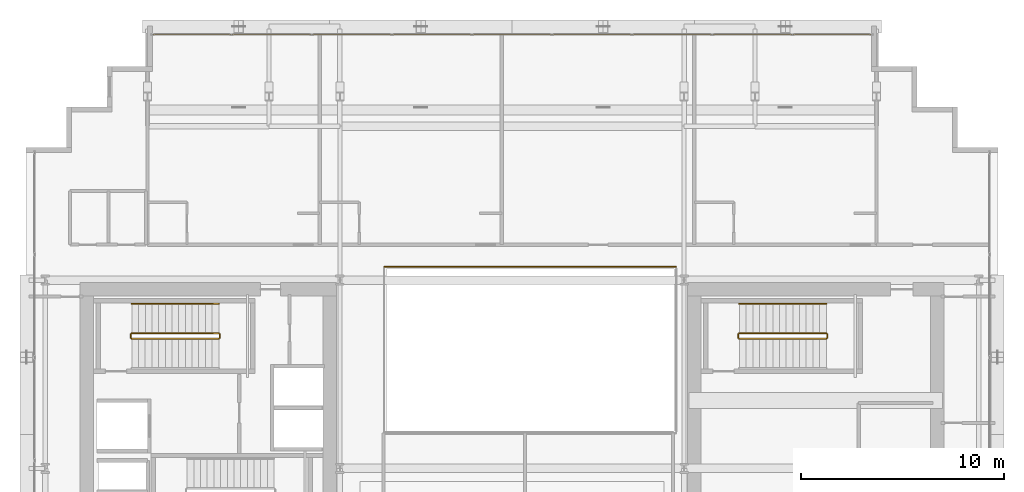
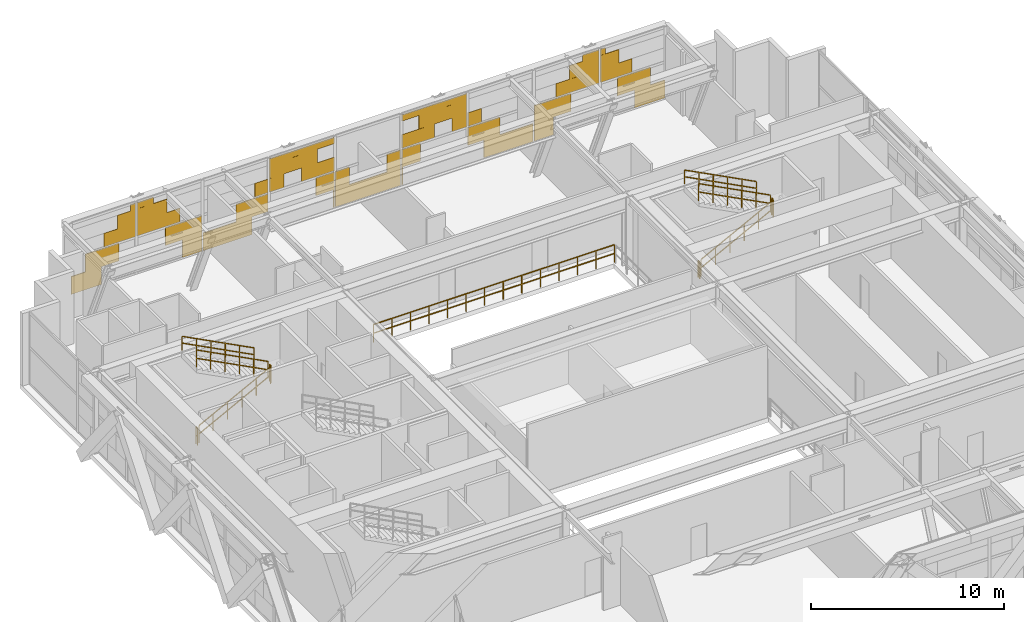
# One storey, part 35 of 35: 11 railings, 1 covering.
"""IFC4 building model written with IfcOpenShell, lengths in metres."""

from ifc_helpers import new_model, si_unit, direction, frame, origin, origin_2d, place, context, subcontext, project, spatial, rectangle, extrude, material, layer, layer_set, type_object, element, save


model = new_model("IFC4")

# Units and contexts
model_context = context("Model", 3, precision=1e-05, world=origin(), true_north=direction((0.0, 1.0)))
body_context = subcontext(model_context, "Body", "Model", "MODEL_VIEW")
ifc_project = project(units=[si_unit("LENGTHUNIT", "METRE"), si_unit("AREAUNIT", "SQUARE_METRE"), si_unit("VOLUMEUNIT", "CUBIC_METRE"), si_unit("PLANEANGLEUNIT", "RADIAN"), si_unit("MASSUNIT", "GRAM", prefix="KILO")], contexts=[model_context])

# Site, building, storey
site_placement = place(None, origin())
site = spatial("IfcSite", under=ifc_project, at=site_placement, CompositionType="ELEMENT")
building_placement = place(site_placement, origin())
building = spatial("IfcBuilding", under=site, at=building_placement, Name="Ocotamira Hotel", CompositionType="ELEMENT")
storey_placement = place(building_placement, frame((0.0, 0.0, 158.39990234375)))
storey = spatial("IfcBuildingStorey", under=building, at=storey_placement, Name="L39", CompositionType="ELEMENT", Elevation=158.39990234375)

# Covering
ifc_material_1 = material(Name="Insulated pale-metal aluminium spandrel panel", Category="aluminium")
ifc_layer = layer(ifc_material_1, 0.044921875)
ifc_layer_set = layer_set([ifc_layer], Name="Insulated pale-metal aluminium spandrel panel")
covering_type = type_object("IfcCoveringType", Name="COV-INFILL-45", PredefinedType="CLADDING", material=ifc_layer_set)
covering_placement = place(storey_placement, origin())
element("IfcCovering", 1, at=covering_placement, inside=storey, type_object=covering_type, Name="L39 Curtain Wall Infill CW-5 CW-L39-N", PredefinedType="CLADDING", context=body_context, shape_type="SweptSolid", body=[
    extrude(rectangle(XDim=1.7958984375, YDim=0.044921875, at=origin_2d()), frame((15.178466796875, 49.580078125, 0.07568359375), z_axis=(0.0, 0.0, 1.0), x_axis=(1.0, 0.0, 0.0)), (0.0, 0.0, 1.0), 1.117919921875),
    extrude(rectangle(XDim=1.991943359375, YDim=0.044921875, at=origin_2d()), frame((16.118408203125, 49.580078125, 1.1943359375), z_axis=(0.0, 0.0, 1.0), x_axis=(1.0, 0.0, 0.0)), (0.0, 0.0, 1.0), 1.117919921875),
    extrude(rectangle(XDim=1.885009765625, YDim=0.044921875, at=origin_2d()), frame((17.172607421875, 49.580078125, 2.38818359375), z_axis=(0.0, 0.0, 1.0), x_axis=(1.0, 0.0, 0.0)), (0.0, 0.0, 1.0), 0.85546875),
    extrude(rectangle(XDim=1.090576171875, YDim=0.044921875, at=origin_2d()), frame((17.56982421875, 49.580078125, 3.244384765625), z_axis=(0.0, 0.0, 1.0), x_axis=(1.0, 0.0, 0.0)), (0.0, 0.0, 1.0), 0.85546875),
    extrude(rectangle(XDim=0.2958984375, YDim=0.044921875, at=origin_2d()), frame((17.967041015625, 49.580078125, 4.1005859375), z_axis=(0.0, 0.0, 1.0), x_axis=(1.0, 0.0, 0.0)), (0.0, 0.0, 1.0), 0.393798828125),
    extrude(rectangle(XDim=2.184814453125, YDim=0.044921875, at=origin_2d()), frame((20.97802734375, 49.580078125, 1.1943359375), z_axis=(0.0, 0.0, 1.0), x_axis=(1.0, 0.0, 0.0)), (0.0, 0.0, 1.0), 1.117919921875),
    extrude(rectangle(XDim=1.14697265625, YDim=0.044921875, at=origin_2d()), frame((21.497314453125, 49.580078125, 0.07568359375), z_axis=(0.0, 0.0, 1.0), x_axis=(1.0, 0.0, 0.0)), (0.0, 0.0, 1.0), 1.117919921875),
    extrude(rectangle(XDim=2.573974609375, YDim=0.044921875, at=origin_2d()), frame((19.48291015625, 49.580078125, 2.38818359375), z_axis=(0.0, 0.0, 1.0), x_axis=(1.0, 0.0, 0.0)), (0.0, 0.0, 1.0), 0.85546875),
    extrude(rectangle(XDim=1.779296875, YDim=0.044921875, at=origin_2d()), frame((19.085693359375, 49.580078125, 3.244384765625), z_axis=(0.0, 0.0, 1.0), x_axis=(1.0, 0.0, 0.0)), (0.0, 0.0, 1.0), 0.85546875),
    extrude(rectangle(XDim=0.98486328125, YDim=0.044921875, at=origin_2d()), frame((18.6884765625, 49.580078125, 4.1005859375), z_axis=(0.0, 0.0, 1.0), x_axis=(1.0, 0.0, 0.0)), (0.0, 0.0, 1.0), 0.393798828125),
    extrude(rectangle(XDim=2.9248046875, YDim=0.044921875, at=origin_2d()), frame((23.614013671875, 49.580078125, 0.07568359375), z_axis=(0.0, 0.0, 1.0), x_axis=(1.0, 0.0, 0.0)), (0.0, 0.0, 1.0), 1.117919921875),
    extrude(rectangle(XDim=1.90380859375, YDim=0.044921875, at=origin_2d()), frame((25.07421875, 49.580078125, 1.1943359375), z_axis=(0.0, 0.0, 1.0), x_axis=(1.0, 0.0, 0.0)), (0.0, 0.0, 1.0), 1.117919921875),
    extrude(rectangle(XDim=0.796142578125, YDim=0.044921875, at=origin_2d()), frame((25.628173828125, 49.580078125, 2.38818359375), z_axis=(0.0, 0.0, 1.0), x_axis=(1.0, 0.0, 0.0)), (0.0, 0.0, 1.0), 0.85546875),
    extrude(rectangle(XDim=1.095947265625, YDim=0.044921875, at=origin_2d()), frame((29.43359375, 49.580078125, 1.1943359375), z_axis=(0.0, 0.0, 1.0), x_axis=(1.0, 0.0, 0.0)), (0.0, 0.0, 1.0), 1.117919921875),
    extrude(rectangle(XDim=0.05810546875, YDim=0.044921875, at=origin_2d()), frame((29.95263671875, 49.580078125, 0.07568359375), z_axis=(0.0, 0.0, 1.0), x_axis=(1.0, 0.0, 0.0)), (0.0, 0.0, 1.0), 1.117919921875),
    extrude(rectangle(XDim=0.871337890625, YDim=0.044921875, at=origin_2d()), frame((26.542724609375, 49.580078125, 2.38818359375), z_axis=(0.0, 0.0, 1.0), x_axis=(1.0, 0.0, 0.0)), (0.0, 0.0, 1.0), 0.85546875),
    extrude(rectangle(XDim=2.8681640625, YDim=0.044921875, at=origin_2d()), frame((27.541259765625, 49.580078125, 3.244384765625), z_axis=(0.0, 0.0, 1.0), x_axis=(1.0, 0.0, 0.0)), (0.0, 0.0, 1.0), 0.85546875),
    extrude(rectangle(XDim=3.87451171875, YDim=0.044921875, at=origin_2d()), frame((28.04443359375, 49.580078125, 4.1005859375), z_axis=(0.0, 0.0, 1.0), x_axis=(1.0, 0.0, 0.0)), (0.0, 0.0, 1.0), 0.393798828125),
    extrude(rectangle(XDim=1.960205078125, YDim=0.044921875, at=origin_2d()), frame((29.001708984375, 49.580078125, 2.38818359375), z_axis=(0.0, 0.0, 1.0), x_axis=(1.0, 0.0, 0.0)), (0.0, 0.0, 1.0), 0.85546875),
    extrude(rectangle(XDim=3.87451171875, YDim=0.044921875, at=origin_2d()), frame((32.0, 49.580078125, 0.07568359375), z_axis=(0.0, 0.0, 1.0), x_axis=(1.0, 0.0, 0.0)), (0.0, 0.0, 1.0), 1.117919921875),
    extrude(rectangle(XDim=0.81494140625, YDim=0.044921875, at=origin_2d()), frame((30.47021484375, 49.580078125, 1.1943359375), z_axis=(0.0, 0.0, 1.0), x_axis=(1.0, 0.0, 0.0)), (0.0, 0.0, 1.0), 1.117919921875),
    extrude(rectangle(XDim=0.81494140625, YDim=0.044921875, at=origin_2d()), frame((33.52978515625, 49.580078125, 1.1943359375), z_axis=(0.0, 0.0, 1.0), x_axis=(1.0, 0.0, 0.0)), (0.0, 0.0, 1.0), 1.117919921875),
    extrude(rectangle(XDim=0.05810546875, YDim=0.044921875, at=origin_2d()), frame((34.04736328125, 49.580078125, 0.07568359375), z_axis=(0.0, 0.0, 1.0), x_axis=(1.0, 0.0, 0.0)), (0.0, 0.0, 1.0), 1.117919921875),
    extrude(rectangle(XDim=1.095947265625, YDim=0.044921875, at=origin_2d()), frame((34.56640625, 49.580078125, 1.1943359375), z_axis=(0.0, 0.0, 1.0), x_axis=(1.0, 0.0, 0.0)), (0.0, 0.0, 1.0), 1.117919921875),
    extrude(rectangle(XDim=1.960205078125, YDim=0.044921875, at=origin_2d()), frame((34.998291015625, 49.580078125, 2.38818359375), z_axis=(0.0, 0.0, 1.0), x_axis=(1.0, 0.0, 0.0)), (0.0, 0.0, 1.0), 0.85546875),
    extrude(rectangle(XDim=3.87451171875, YDim=0.044921875, at=origin_2d()), frame((35.95556640625, 49.580078125, 4.1005859375), z_axis=(0.0, 0.0, 1.0), x_axis=(1.0, 0.0, 0.0)), (0.0, 0.0, 1.0), 0.393798828125),
    extrude(rectangle(XDim=2.8681640625, YDim=0.044921875, at=origin_2d()), frame((36.458740234375, 49.580078125, 3.244384765625), z_axis=(0.0, 0.0, 1.0), x_axis=(1.0, 0.0, 0.0)), (0.0, 0.0, 1.0), 0.85546875),
    extrude(rectangle(XDim=0.871337890625, YDim=0.044921875, at=origin_2d()), frame((37.457275390625, 49.580078125, 2.38818359375), z_axis=(0.0, 0.0, 1.0), x_axis=(1.0, 0.0, 0.0)), (0.0, 0.0, 1.0), 0.85546875),
    extrude(rectangle(XDim=1.90380859375, YDim=0.044921875, at=origin_2d()), frame((38.92578125, 49.580078125, 1.1943359375), z_axis=(0.0, 0.0, 1.0), x_axis=(1.0, 0.0, 0.0)), (0.0, 0.0, 1.0), 1.117919921875),
    extrude(rectangle(XDim=2.9248046875, YDim=0.044921875, at=origin_2d()), frame((40.385986328125, 49.580078125, 0.07568359375), z_axis=(0.0, 0.0, 1.0), x_axis=(1.0, 0.0, 0.0)), (0.0, 0.0, 1.0), 1.117919921875),
    extrude(rectangle(XDim=0.796142578125, YDim=0.044921875, at=origin_2d()), frame((38.371826171875, 49.580078125, 2.38818359375), z_axis=(0.0, 0.0, 1.0), x_axis=(1.0, 0.0, 0.0)), (0.0, 0.0, 1.0), 0.85546875),
    extrude(rectangle(XDim=1.14697265625, YDim=0.044921875, at=origin_2d()), frame((42.502685546875, 49.580078125, 0.07568359375), z_axis=(0.0, 0.0, 1.0), x_axis=(1.0, 0.0, 0.0)), (0.0, 0.0, 1.0), 1.117919921875),
    extrude(rectangle(XDim=2.184814453125, YDim=0.044921875, at=origin_2d()), frame((43.02197265625, 49.580078125, 1.1943359375), z_axis=(0.0, 0.0, 1.0), x_axis=(1.0, 0.0, 0.0)), (0.0, 0.0, 1.0), 1.117919921875),
    extrude(rectangle(XDim=2.573974609375, YDim=0.044921875, at=origin_2d()), frame((44.51708984375, 49.580078125, 2.38818359375), z_axis=(0.0, 0.0, 1.0), x_axis=(1.0, 0.0, 0.0)), (0.0, 0.0, 1.0), 0.85546875),
    extrude(rectangle(XDim=1.779296875, YDim=0.044921875, at=origin_2d()), frame((44.914306640625, 49.580078125, 3.244384765625), z_axis=(0.0, 0.0, 1.0), x_axis=(1.0, 0.0, 0.0)), (0.0, 0.0, 1.0), 0.85546875),
    extrude(rectangle(XDim=0.98486328125, YDim=0.044921875, at=origin_2d()), frame((45.3115234375, 49.580078125, 4.1005859375), z_axis=(0.0, 0.0, 1.0), x_axis=(1.0, 0.0, 0.0)), (0.0, 0.0, 1.0), 0.393798828125),
    extrude(rectangle(XDim=1.991943359375, YDim=0.044921875, at=origin_2d()), frame((47.881591796875, 49.580078125, 1.1943359375), z_axis=(0.0, 0.0, 1.0), x_axis=(1.0, 0.0, 0.0)), (0.0, 0.0, 1.0), 1.117919921875),
    extrude(rectangle(XDim=1.7958984375, YDim=0.044921875, at=origin_2d()), frame((48.821533203125, 49.580078125, 0.07568359375), z_axis=(0.0, 0.0, 1.0), x_axis=(1.0, 0.0, 0.0)), (0.0, 0.0, 1.0), 1.117919921875),
    extrude(rectangle(XDim=1.885009765625, YDim=0.044921875, at=origin_2d()), frame((46.827392578125, 49.580078125, 2.38818359375), z_axis=(0.0, 0.0, 1.0), x_axis=(1.0, 0.0, 0.0)), (0.0, 0.0, 1.0), 0.85546875),
    extrude(rectangle(XDim=1.090576171875, YDim=0.044921875, at=origin_2d()), frame((46.43017578125, 49.580078125, 3.244384765625), z_axis=(0.0, 0.0, 1.0), x_axis=(1.0, 0.0, 0.0)), (0.0, 0.0, 1.0), 0.85546875),
    extrude(rectangle(XDim=0.2958984375, YDim=0.044921875, at=origin_2d()), frame((46.032958984375, 49.580078125, 4.1005859375), z_axis=(0.0, 0.0, 1.0), x_axis=(1.0, 0.0, 0.0)), (0.0, 0.0, 1.0), 0.393798828125),
])

# Railings
ifc_material_2 = material(Name="Painted steel stair guardrail", Category="steel")
railing_type_1 = type_object("IfcRailingType", Name="RL-EDGE-1150", PredefinedType="GUARDRAIL", material=ifc_material_2)
railing_1_placement = place(storey_placement, frame((40.10009765625, 38.10009765625, 0.0)))
element("IfcRailing", 2, at=railing_1_placement, inside=storey, type_object=railing_type_1, Name="L39 Atrium Bridge Lightwell Guard N N", PredefinedType="GUARDRAIL", context=body_context, shape_type="SweptSolid", body=[
    extrude(rectangle(XDim=0.048095703125, YDim=0.048095703125, at=origin_2d()), frame((0.0, 0.0, 1.1259765625), z_axis=(-1.0, 0.0, 0.0), x_axis=(0.0, -1.0, 0.0)), (0.0, 0.0, 1.0), 14.400146484375),
    extrude(rectangle(XDim=0.048095703125, YDim=0.048095703125, at=origin_2d()), frame((0.0, 0.0, 0.574951171875), z_axis=(-1.0, 0.0, 0.0), x_axis=(0.0, -1.0, 0.0)), (0.0, 0.0, 1.0), 14.400146484375),
    extrude(rectangle(XDim=0.0419921875, YDim=0.0419921875, at=origin_2d()), origin(), (0.0, 0.0, 1.0), 1.101806640625),
    extrude(rectangle(XDim=0.0419921875, YDim=0.0419921875, at=origin_2d()), frame((-1.107666015625, 0.0, 0.0)), (0.0, 0.0, 1.0), 1.101806640625),
    extrude(rectangle(XDim=0.0419921875, YDim=0.0419921875, at=origin_2d()), frame((-2.21533203125, 0.0, 0.0)), (0.0, 0.0, 1.0), 1.101806640625),
    extrude(rectangle(XDim=0.0419921875, YDim=0.0419921875, at=origin_2d()), frame((-3.322998046875, 0.0, 0.0)), (0.0, 0.0, 1.0), 1.101806640625),
    extrude(rectangle(XDim=0.0419921875, YDim=0.0419921875, at=origin_2d()), frame((-4.430908203125, 0.0, 0.0)), (0.0, 0.0, 1.0), 1.101806640625),
    extrude(rectangle(XDim=0.0419921875, YDim=0.0419921875, at=origin_2d()), frame((-5.53857421875, 0.0, 0.0)), (0.0, 0.0, 1.0), 1.101806640625),
    extrude(rectangle(XDim=0.0419921875, YDim=0.0419921875, at=origin_2d()), frame((-6.646240234375, 0.0, 0.0)), (0.0, 0.0, 1.0), 1.101806640625),
    extrude(rectangle(XDim=0.0419921875, YDim=0.0419921875, at=origin_2d()), frame((-7.75390625, 0.0, 0.0)), (0.0, 0.0, 1.0), 1.101806640625),
    extrude(rectangle(XDim=0.0419921875, YDim=0.0419921875, at=origin_2d()), frame((-8.861572265625, 0.0, 0.0)), (0.0, 0.0, 1.0), 1.101806640625),
    extrude(rectangle(XDim=0.0419921875, YDim=0.0419921875, at=origin_2d()), frame((-9.96923828125, 0.0, 0.0)), (0.0, 0.0, 1.0), 1.101806640625),
    extrude(rectangle(XDim=0.0419921875, YDim=0.0419921875, at=origin_2d()), frame((-11.0771484375, 0.0, 0.0)), (0.0, 0.0, 1.0), 1.101806640625),
    extrude(rectangle(XDim=0.0419921875, YDim=0.0419921875, at=origin_2d()), frame((-12.184814453125, 0.0, 0.0)), (0.0, 0.0, 1.0), 1.101806640625),
    extrude(rectangle(XDim=0.0419921875, YDim=0.0419921875, at=origin_2d()), frame((-13.29248046875, 0.0, 0.0)), (0.0, 0.0, 1.0), 1.101806640625),
    extrude(rectangle(XDim=0.0419921875, YDim=0.0419921875, at=origin_2d()), frame((-14.400146484375, 0.0, 0.0)), (0.0, 0.0, 1.0), 1.101806640625),
])
ifc_material_3 = material(Name="Brushed stainless steel handrail", Category="steel")
railing_type_2 = type_object("IfcRailingType", Name="RL-HAND-900", PredefinedType="HANDRAIL", material=ifc_material_3)
for number, where, name in (
    (3, (17.52001953125, 36.280029296875, 2.742919921875), "L39 ST-2 stair handrail 2"),
    (4, (47.52001953125, 36.280029296875, 2.742919921875), "L39 ST-4 stair handrail 2"),
):
    element("IfcRailing", number, at=place(storey_placement, frame(where)), inside=storey, type_object=railing_type_2, Name=name, PredefinedType="HANDRAIL", context=body_context, shape_type="SweptSolid", body=[
        extrude(rectangle(XDim=0.048095703125, YDim=0.048095703125, at=origin_2d()), frame((0.0, 0.0, 0.8759765625), z_axis=(-0.887411858541, 0.0, 0.46097743255), x_axis=(0.0, -1.0, 0.0)), (0.0, 0.0, 1.0), 4.834228515625),
        extrude(rectangle(XDim=0.048095703125, YDim=0.048095703125, at=origin_2d()), frame((0.0, 0.0, 0.449951171875), z_axis=(-0.887411858541, 0.0, 0.46097743255), x_axis=(0.0, -1.0, 0.0)), (0.0, 0.0, 1.0), 4.834228515625),
        extrude(rectangle(XDim=0.0419921875, YDim=0.0419921875, at=origin_2d()), origin(), (0.0, 0.0, 1.0), 0.851806640625),
        extrude(rectangle(XDim=0.0419921875, YDim=0.0419921875, at=origin_2d()), frame((-0.85791015625, 0.0, 0.44580078125)), (0.0, 0.0, 1.0), 0.851806640625),
        extrude(rectangle(XDim=0.0419921875, YDim=0.0419921875, at=origin_2d()), frame((-1.716064453125, 0.0, 0.891357421875)), (0.0, 0.0, 1.0), 0.851806640625),
        extrude(rectangle(XDim=0.0419921875, YDim=0.0419921875, at=origin_2d()), frame((-2.573974609375, 0.0, 1.337158203125)), (0.0, 0.0, 1.0), 0.851806640625),
        extrude(rectangle(XDim=0.0419921875, YDim=0.0419921875, at=origin_2d()), frame((-3.43212890625, 0.0, 1.78271484375)), (0.0, 0.0, 1.0), 0.851806640625),
        extrude(rectangle(XDim=0.0419921875, YDim=0.0419921875, at=origin_2d()), frame((-4.2900390625, 0.0, 2.228515625)), (0.0, 0.0, 1.0), 0.851806640625),
    ])
railing_type_3 = type_object("IfcRailingType", Name="RL-STAIR-1100", PredefinedType="GUARDRAIL", material=ifc_material_2)
railing_2_placement = place(storey_placement, frame((13.22998046875, 34.56005859375, 0.171630859375)))
element("IfcRailing", 5, at=railing_2_placement, inside=storey, type_object=railing_type_3, Name="L39 ST-2 stair guard 1", PredefinedType="GUARDRAIL", context=body_context, shape_type="SweptSolid", body=[
    extrude(rectangle(XDim=0.048095703125, YDim=0.048095703125, at=origin_2d()), frame((0.0, 0.0, 1.076171875), z_axis=(0.887411858541, 0.0, 0.46097743255), x_axis=(0.0, 1.0, 0.0)), (0.0, 0.0, 1.0), 4.834228515625),
    extrude(rectangle(XDim=0.048095703125, YDim=0.048095703125, at=origin_2d()), frame((0.0, 0.0, 0.550048828125), z_axis=(0.887411858541, 0.0, 0.46097743255), x_axis=(0.0, 1.0, 0.0)), (0.0, 0.0, 1.0), 4.834228515625),
    extrude(rectangle(XDim=0.0419921875, YDim=0.0419921875, at=origin_2d()), origin(), (0.0, 0.0, 1.0), 1.052001953125),
    extrude(rectangle(XDim=0.0419921875, YDim=0.0419921875, at=origin_2d()), frame((0.85791015625, 0.0, 0.44580078125)), (0.0, 0.0, 1.0), 1.052001953125),
    extrude(rectangle(XDim=0.0419921875, YDim=0.0419921875, at=origin_2d()), frame((1.716064453125, 0.0, 0.891357421875)), (0.0, 0.0, 1.0), 1.052001953125),
    extrude(rectangle(XDim=0.0419921875, YDim=0.0419921875, at=origin_2d()), frame((2.573974609375, 0.0, 1.337158203125)), (0.0, 0.0, 1.0), 1.052001953125),
    extrude(rectangle(XDim=0.0419921875, YDim=0.0419921875, at=origin_2d()), frame((3.43212890625, 0.0, 1.78271484375)), (0.0, 0.0, 1.0), 1.052001953125),
    extrude(rectangle(XDim=0.0419921875, YDim=0.0419921875, at=origin_2d()), frame((4.2900390625, 0.0, 2.228515625)), (0.0, 0.0, 1.0), 1.052001953125),
])
railing_3_placement = place(storey_placement, frame((17.570068359375, 34.610107421875, 2.400146484375)))
element("IfcRailing", 6, at=railing_3_placement, inside=storey, type_object=railing_type_3, Name="L39 ST-2 stair guard 2", PredefinedType="GUARDRAIL", context=body_context, shape_type="SweptSolid", body=[
    extrude(rectangle(XDim=0.048095703125, YDim=0.048095703125, at=origin_2d()), frame((0.0, 0.0, 1.076171875), z_axis=(0.0, 1.0, 0.0), x_axis=(-1.0, 0.0, 0.0)), (0.0, 0.0, 1.0), 0.159912109375),
    extrude(rectangle(XDim=0.048095703125, YDim=0.048095703125, at=origin_2d()), frame((0.0, 0.0, 0.550048828125), z_axis=(0.0, 1.0, 0.0), x_axis=(-1.0, 0.0, 0.0)), (0.0, 0.0, 1.0), 0.159912109375),
    extrude(rectangle(XDim=0.0419921875, YDim=0.0419921875, at=origin_2d()), origin(), (0.0, 0.0, 1.0), 1.052001953125),
    extrude(rectangle(XDim=0.0419921875, YDim=0.0419921875, at=origin_2d()), frame((0.0, 0.159912109375, 0.0)), (0.0, 0.0, 1.0), 1.052001953125),
])
railing_4_placement = place(storey_placement, frame((17.52001953125, 34.820068359375, 2.571533203125)))
element("IfcRailing", 7, at=railing_4_placement, inside=storey, type_object=railing_type_3, Name="L39 ST-2 stair guard 3", PredefinedType="GUARDRAIL", context=body_context, shape_type="SweptSolid", body=[
    extrude(rectangle(XDim=0.048095703125, YDim=0.048095703125, at=origin_2d()), frame((0.0, 0.0, 1.076171875), z_axis=(-0.887411858541, 0.0, 0.46097743255), x_axis=(0.0, -1.0, 0.0)), (0.0, 0.0, 1.0), 4.834228515625),
    extrude(rectangle(XDim=0.048095703125, YDim=0.048095703125, at=origin_2d()), frame((0.0, 0.0, 0.550048828125), z_axis=(-0.887411858541, 0.0, 0.46097743255), x_axis=(0.0, -1.0, 0.0)), (0.0, 0.0, 1.0), 4.834228515625),
    extrude(rectangle(XDim=0.0419921875, YDim=0.0419921875, at=origin_2d()), origin(), (0.0, 0.0, 1.0), 1.052001953125),
    extrude(rectangle(XDim=0.0419921875, YDim=0.0419921875, at=origin_2d()), frame((-0.85791015625, 0.0, 0.44580078125)), (0.0, 0.0, 1.0), 1.052001953125),
    extrude(rectangle(XDim=0.0419921875, YDim=0.0419921875, at=origin_2d()), frame((-1.716064453125, 0.0, 0.891357421875)), (0.0, 0.0, 1.0), 1.052001953125),
    extrude(rectangle(XDim=0.0419921875, YDim=0.0419921875, at=origin_2d()), frame((-2.573974609375, 0.0, 1.337158203125)), (0.0, 0.0, 1.0), 1.052001953125),
    extrude(rectangle(XDim=0.0419921875, YDim=0.0419921875, at=origin_2d()), frame((-3.43212890625, 0.0, 1.78271484375)), (0.0, 0.0, 1.0), 1.052001953125),
    extrude(rectangle(XDim=0.0419921875, YDim=0.0419921875, at=origin_2d()), frame((-4.2900390625, 0.0, 2.228515625)), (0.0, 0.0, 1.0), 1.052001953125),
])
railing_5_placement = place(storey_placement, frame((13.179931640625, 34.610107421875, 0.0)))
element("IfcRailing", 8, at=railing_5_placement, inside=storey, type_object=railing_type_3, Name="L39 ST-2 stair guard 4", PredefinedType="GUARDRAIL", context=body_context, shape_type="SweptSolid", body=[
    extrude(rectangle(XDim=0.048095703125, YDim=0.048095703125, at=origin_2d()), frame((0.0, 0.0, 1.076171875), z_axis=(0.0, 1.0, 0.0), x_axis=(-1.0, 0.0, 0.0)), (0.0, 0.0, 1.0), 0.159912109375),
    extrude(rectangle(XDim=0.048095703125, YDim=0.048095703125, at=origin_2d()), frame((0.0, 0.0, 0.550048828125), z_axis=(0.0, 1.0, 0.0), x_axis=(-1.0, 0.0, 0.0)), (0.0, 0.0, 1.0), 0.159912109375),
    extrude(rectangle(XDim=0.0419921875, YDim=0.0419921875, at=origin_2d()), origin(), (0.0, 0.0, 1.0), 1.052001953125),
    extrude(rectangle(XDim=0.0419921875, YDim=0.0419921875, at=origin_2d()), frame((0.0, 0.159912109375, 0.0)), (0.0, 0.0, 1.0), 1.052001953125),
])
railing_6_placement = place(storey_placement, frame((43.22998046875, 34.56005859375, 0.171630859375)))
element("IfcRailing", 9, at=railing_6_placement, inside=storey, type_object=railing_type_3, Name="L39 ST-4 stair guard 1", PredefinedType="GUARDRAIL", context=body_context, shape_type="SweptSolid", body=[
    extrude(rectangle(XDim=0.048095703125, YDim=0.048095703125, at=origin_2d()), frame((0.0, 0.0, 1.076171875), z_axis=(0.887411858541, 0.0, 0.46097743255), x_axis=(0.0, 1.0, 0.0)), (0.0, 0.0, 1.0), 4.834228515625),
    extrude(rectangle(XDim=0.048095703125, YDim=0.048095703125, at=origin_2d()), frame((0.0, 0.0, 0.550048828125), z_axis=(0.887411858541, 0.0, 0.46097743255), x_axis=(0.0, 1.0, 0.0)), (0.0, 0.0, 1.0), 4.834228515625),
    extrude(rectangle(XDim=0.0419921875, YDim=0.0419921875, at=origin_2d()), origin(), (0.0, 0.0, 1.0), 1.052001953125),
    extrude(rectangle(XDim=0.0419921875, YDim=0.0419921875, at=origin_2d()), frame((0.85791015625, 0.0, 0.44580078125)), (0.0, 0.0, 1.0), 1.052001953125),
    extrude(rectangle(XDim=0.0419921875, YDim=0.0419921875, at=origin_2d()), frame((1.716064453125, 0.0, 0.891357421875)), (0.0, 0.0, 1.0), 1.052001953125),
    extrude(rectangle(XDim=0.0419921875, YDim=0.0419921875, at=origin_2d()), frame((2.573974609375, 0.0, 1.337158203125)), (0.0, 0.0, 1.0), 1.052001953125),
    extrude(rectangle(XDim=0.0419921875, YDim=0.0419921875, at=origin_2d()), frame((3.43212890625, 0.0, 1.78271484375)), (0.0, 0.0, 1.0), 1.052001953125),
    extrude(rectangle(XDim=0.0419921875, YDim=0.0419921875, at=origin_2d()), frame((4.2900390625, 0.0, 2.228515625)), (0.0, 0.0, 1.0), 1.052001953125),
])
railing_7_placement = place(storey_placement, frame((47.570068359375, 34.610107421875, 2.400146484375)))
element("IfcRailing", 10, at=railing_7_placement, inside=storey, type_object=railing_type_3, Name="L39 ST-4 stair guard 2", PredefinedType="GUARDRAIL", context=body_context, shape_type="SweptSolid", body=[
    extrude(rectangle(XDim=0.048095703125, YDim=0.048095703125, at=origin_2d()), frame((0.0, 0.0, 1.076171875), z_axis=(0.0, 1.0, 0.0), x_axis=(-1.0, 0.0, 0.0)), (0.0, 0.0, 1.0), 0.159912109375),
    extrude(rectangle(XDim=0.048095703125, YDim=0.048095703125, at=origin_2d()), frame((0.0, 0.0, 0.550048828125), z_axis=(0.0, 1.0, 0.0), x_axis=(-1.0, 0.0, 0.0)), (0.0, 0.0, 1.0), 0.159912109375),
    extrude(rectangle(XDim=0.0419921875, YDim=0.0419921875, at=origin_2d()), origin(), (0.0, 0.0, 1.0), 1.052001953125),
    extrude(rectangle(XDim=0.0419921875, YDim=0.0419921875, at=origin_2d()), frame((0.0, 0.159912109375, 0.0)), (0.0, 0.0, 1.0), 1.052001953125),
])
railing_8_placement = place(storey_placement, frame((47.52001953125, 34.820068359375, 2.571533203125)))
element("IfcRailing", 11, at=railing_8_placement, inside=storey, type_object=railing_type_3, Name="L39 ST-4 stair guard 3", PredefinedType="GUARDRAIL", context=body_context, shape_type="SweptSolid", body=[
    extrude(rectangle(XDim=0.048095703125, YDim=0.048095703125, at=origin_2d()), frame((0.0, 0.0, 1.076171875), z_axis=(-0.887411858541, 0.0, 0.46097743255), x_axis=(0.0, -1.0, 0.0)), (0.0, 0.0, 1.0), 4.834228515625),
    extrude(rectangle(XDim=0.048095703125, YDim=0.048095703125, at=origin_2d()), frame((0.0, 0.0, 0.550048828125), z_axis=(-0.887411858541, 0.0, 0.46097743255), x_axis=(0.0, -1.0, 0.0)), (0.0, 0.0, 1.0), 4.834228515625),
    extrude(rectangle(XDim=0.0419921875, YDim=0.0419921875, at=origin_2d()), origin(), (0.0, 0.0, 1.0), 1.052001953125),
    extrude(rectangle(XDim=0.0419921875, YDim=0.0419921875, at=origin_2d()), frame((-0.85791015625, 0.0, 0.44580078125)), (0.0, 0.0, 1.0), 1.052001953125),
    extrude(rectangle(XDim=0.0419921875, YDim=0.0419921875, at=origin_2d()), frame((-1.716064453125, 0.0, 0.891357421875)), (0.0, 0.0, 1.0), 1.052001953125),
    extrude(rectangle(XDim=0.0419921875, YDim=0.0419921875, at=origin_2d()), frame((-2.573974609375, 0.0, 1.337158203125)), (0.0, 0.0, 1.0), 1.052001953125),
    extrude(rectangle(XDim=0.0419921875, YDim=0.0419921875, at=origin_2d()), frame((-3.43212890625, 0.0, 1.78271484375)), (0.0, 0.0, 1.0), 1.052001953125),
    extrude(rectangle(XDim=0.0419921875, YDim=0.0419921875, at=origin_2d()), frame((-4.2900390625, 0.0, 2.228515625)), (0.0, 0.0, 1.0), 1.052001953125),
])
railing_9_placement = place(storey_placement, frame((43.179931640625, 34.610107421875, 0.0)))
element("IfcRailing", 12, at=railing_9_placement, inside=storey, type_object=railing_type_3, Name="L39 ST-4 stair guard 4", PredefinedType="GUARDRAIL", context=body_context, shape_type="SweptSolid", body=[
    extrude(rectangle(XDim=0.048095703125, YDim=0.048095703125, at=origin_2d()), frame((0.0, 0.0, 1.076171875), z_axis=(0.0, 1.0, 0.0), x_axis=(-1.0, 0.0, 0.0)), (0.0, 0.0, 1.0), 0.159912109375),
    extrude(rectangle(XDim=0.048095703125, YDim=0.048095703125, at=origin_2d()), frame((0.0, 0.0, 0.550048828125), z_axis=(0.0, 1.0, 0.0), x_axis=(-1.0, 0.0, 0.0)), (0.0, 0.0, 1.0), 0.159912109375),
    extrude(rectangle(XDim=0.0419921875, YDim=0.0419921875, at=origin_2d()), origin(), (0.0, 0.0, 1.0), 1.052001953125),
    extrude(rectangle(XDim=0.0419921875, YDim=0.0419921875, at=origin_2d()), frame((0.0, 0.159912109375, 0.0)), (0.0, 0.0, 1.0), 1.052001953125),
])

save(model, "model.ifc")
